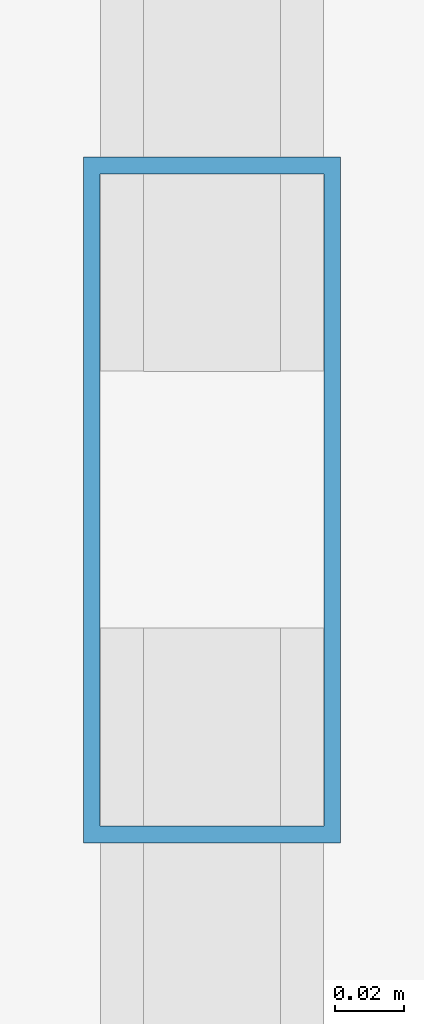
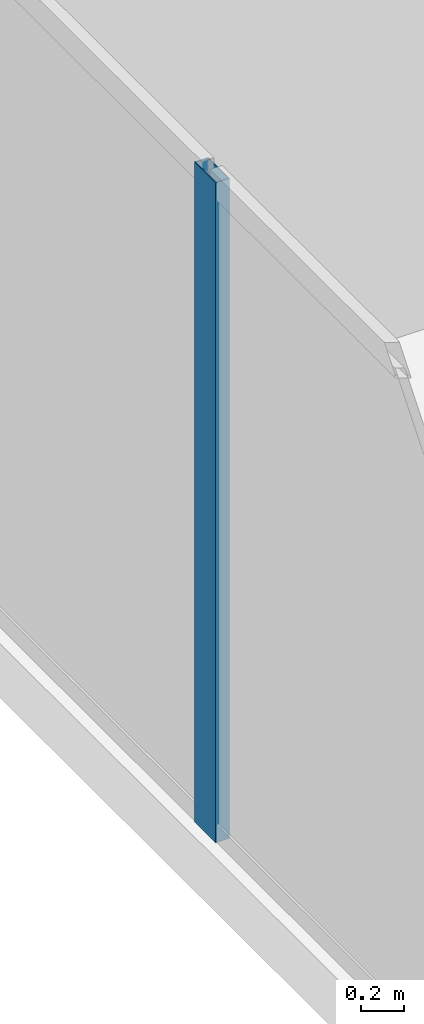
# One storey, part 8 of 30: 1 member, 1 element without a shape of its own.
"""IFC4 building model written with IfcOpenShell, lengths in metres."""

from ifc_helpers import new_model, si_unit, direction, frame, origin, origin_2d, place, context, subcontext, project, spatial, hollow_rectangle, extrude, source, transform, mapped, material, layer, layer_set, material_profile, profile_set, type_object, type_shapes, element, aggregate, save


model = new_model("IFC4")

# Units and contexts
model_context = context("Model", 3, precision=1e-05, world=origin(), true_north=direction((0.0, 1.0)))
body_context = subcontext(model_context, "Body", "Model", "MODEL_VIEW")
ifc_project = project(units=[si_unit("LENGTHUNIT", "METRE"), si_unit("AREAUNIT", "SQUARE_METRE"), si_unit("VOLUMEUNIT", "CUBIC_METRE"), si_unit("PLANEANGLEUNIT", "RADIAN"), si_unit("MASSUNIT", "GRAM", prefix="KILO")], contexts=[model_context])

# Site, building, storey
site_placement = place(None, origin())
site = spatial("IfcSite", under=ifc_project, at=site_placement, CompositionType="ELEMENT")
building_placement = place(site_placement, origin())
building = spatial("IfcBuilding", under=site, at=building_placement, Name="Haelvirn Gate Laboratories", CompositionType="ELEMENT")
storey_placement = place(building_placement, frame((0.0, 0.0, 162.5)))
storey = spatial("IfcBuildingStorey", under=building, at=storey_placement, Name="L39", CompositionType="ELEMENT", Elevation=162.5)

# Curtain wall, member
ifc_material_1 = material(Name="Anodised bronze unitised aluminium & triple low-E glass", Category="aluminium")
ifc_layer = layer(ifc_material_1, 0.179931640625, Name="CW-SYS-3")
ifc_layer_set = layer_set([ifc_layer], Name="Anodised bronze unitised aluminium & triple low-E glass")
curtain_wall_type = type_object("IfcCurtainWallType", Name="CW-SYS-3", PredefinedType="NOTDEFINED", material=ifc_layer_set)
curtain_wall_placement = place(storey_placement, origin())
curtain_wall = element("IfcCurtainWall", 1, at=curtain_wall_placement, inside=storey, type_object=curtain_wall_type, Name="L39 Unitised Curtain Wall CW-L39-P0-E17", PredefinedType="NOTDEFINED")
ifc_material_2 = material(Name="Extruded aluminium 6063-T6 (anodised bronze)", Category="aluminium")
ifc_material_profile = material_profile(ifc_material_2, hollow_rectangle(XDim=0.074951171875, YDim=0.199951171875, WallThickness=0.0048828125, at=origin_2d()), Name="CWM-200x75x5")
ifc_profile_set = profile_set([ifc_material_profile], Name="Extruded aluminium 6063-T6 (anodised bronze)")
member_type = type_object("IfcMemberType", Name="CWM-T200", PredefinedType="MULLION", material=ifc_profile_set)
shared_shape = source(origin(), body_context, "Body", "SweptSolid", [
    extrude(hollow_rectangle(XDim=0.074951171875, YDim=0.199951171875, WallThickness=0.0048828125, at=origin_2d()), origin(), (0.0, 0.0, 1.0), 3.7900390625),
])
type_shapes(member_type, [shared_shape])
member_placement = place(storey_placement, frame((2.10009765625, 30.966552734375, 0.0), z_axis=(0.0, 0.0, 1.0), x_axis=(1.0, 0.0, 0.0)))
member = element("IfcMember", 2, at=member_placement, type_object=member_type, Name="CW3 mullion 2", PredefinedType="MULLION", context=body_context, shape_type="MappedRepresentation", body=[
    mapped(shared_shape, transform((0.0, 0.0, 0.0), scale=1.0)),
])
aggregate(curtain_wall, [member])

save(model, "model.ifc")
